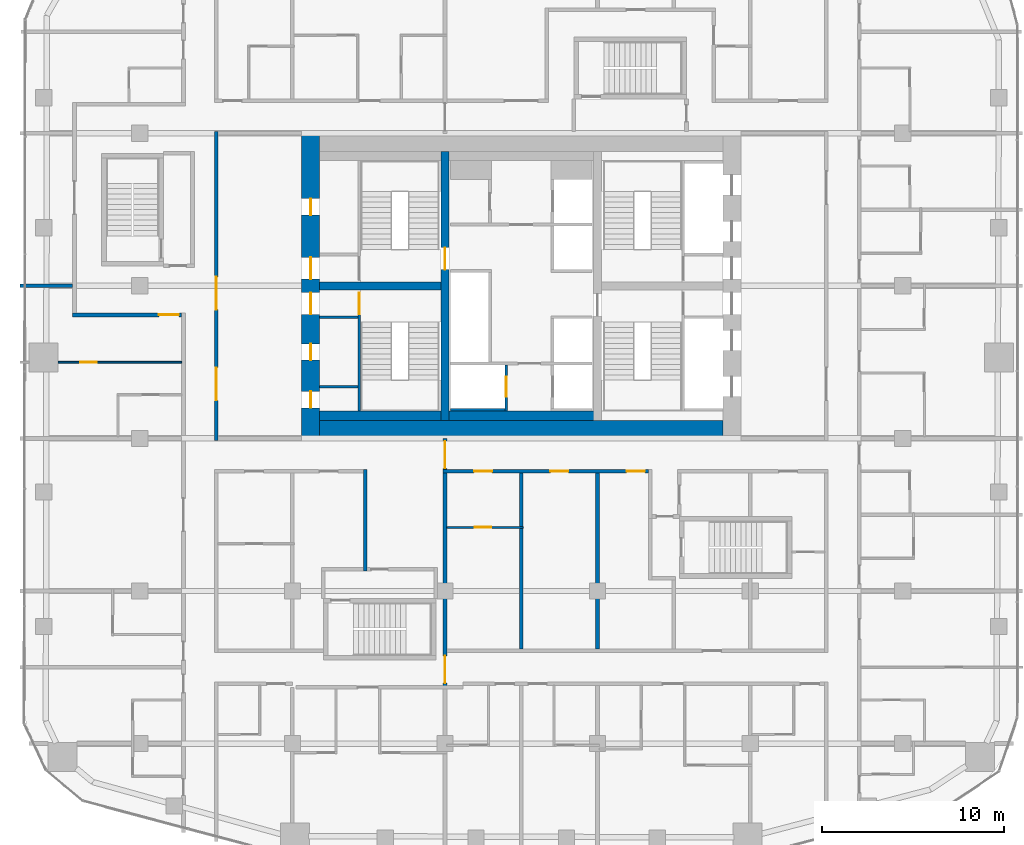
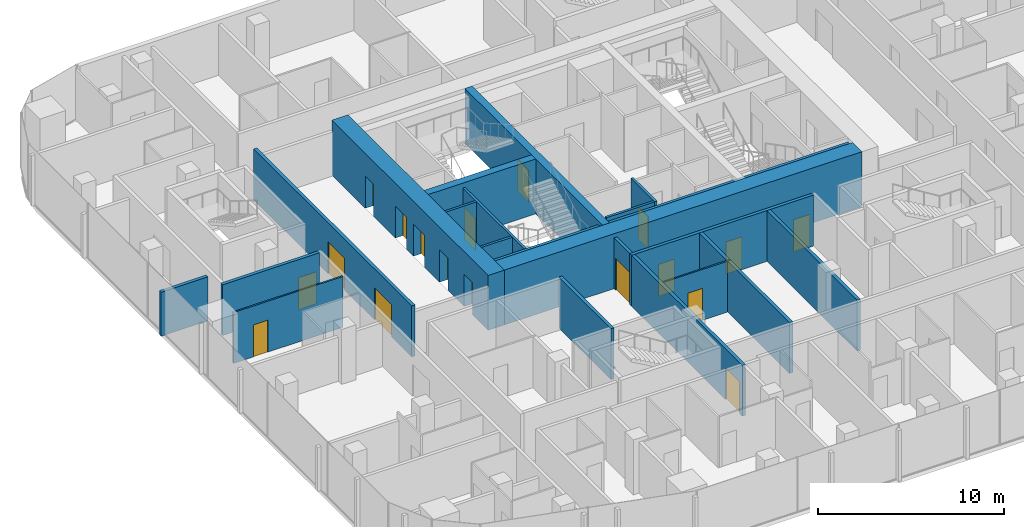
# One storey, part 15 of 23: 20 walls, 18 doors, 18 openings.
"""IFC4 building model written with IfcOpenShell, lengths in metres."""

from ifc_helpers import new_model, si_unit, direction, frame, frame_2d, origin, place, context, subcontext, project, spatial, rectangle, extrude, material, layer, layer_set, type_object, element, fill, save


model = new_model("IFC4")

# Units and contexts
model_context = context("Model", 3, precision=1e-05, world=origin(), true_north=direction((0.0, 1.0)))
body_context = subcontext(model_context, "Body", "Model", "MODEL_VIEW")
ifc_project = project(units=[si_unit("LENGTHUNIT", "METRE"), si_unit("AREAUNIT", "SQUARE_METRE"), si_unit("VOLUMEUNIT", "CUBIC_METRE"), si_unit("PLANEANGLEUNIT", "RADIAN"), si_unit("MASSUNIT", "GRAM", prefix="KILO")], contexts=[model_context])

# Site, building, storey
site_placement = place(None, origin())
site = spatial("IfcSite", under=ifc_project, at=site_placement, CompositionType="ELEMENT")
building_placement = place(site_placement, origin())
building = spatial("IfcBuilding", under=site, at=building_placement, Name="Marenta Gate Hotel Tower", CompositionType="ELEMENT")
storey_placement = place(building_placement, frame((0.0, 0.0, 126.5)))
storey = spatial("IfcBuildingStorey", under=building, at=storey_placement, Name="L28", CompositionType="ELEMENT", Elevation=126.5)

# Wall, openings, doors
ifc_material_1 = material(Name="Concrete blockwork", Category="masonry")
ifc_layer_1 = layer(ifc_material_1, 0.199951171875)
ifc_layer_set_1 = layer_set([ifc_layer_1], Name="Concrete blockwork")
wall_type_1 = type_object("IfcWallType", Name="Compartment wall 200 REI 180", PredefinedType="PARTITIONING", material=ifc_layer_set_1)
wall_1_placement = place(storey_placement, frame((-4.199951171875, -13.800048828125, 0.0), z_axis=(0.0, 0.0, 1.0), x_axis=(0.0, 1.0, 0.0)))
wall_1 = element("IfcWall", 1, at=wall_1_placement, inside=storey, type_object=wall_type_1, Name="L28-PTN-W081", PredefinedType="PARTITIONING", context=body_context, shape_type="SweptSolid", body=[
    extrude(rectangle(XDim=13.800048828125, YDim=0.199951171875, at=frame_2d((6.89990234375, 0.0))), origin(), (0.0, 0.0, 1.0), 3.340087890625),
])
opening_1_placement = place(wall_1_placement, frame((12.14990234375, 0.0, 0.0)))
opening_1 = element("IfcOpeningElement", 2, at=opening_1_placement, cuts=wall_1, Name="Opening G10-FD2", PredefinedType="OPENING", context=body_context, shape_type="SweptSolid", body=[
    extrude(rectangle(XDim=1.5, YDim=2.10009765625, at=frame_2d((0.75, 1.050048828125))), frame((0.0, 0.10009765625, 0.0), z_axis=(0.0, -1.0, 0.0), x_axis=(1.0, 0.0, 0.0)), (0.0, 0.0, 1.0), 0.199951171875),
])
opening_2_placement = place(wall_1_placement, frame((0.324951171875, 0.0, 0.0)))
opening_2 = element("IfcOpeningElement", 3, at=opening_2_placement, cuts=wall_1, Name="Opening G10-FD3", PredefinedType="OPENING", context=body_context, shape_type="SweptSolid", body=[
    extrude(rectangle(XDim=1.5, YDim=2.10009765625, at=frame_2d((0.75, 1.050048828125))), frame((0.0, 0.10009765625, 0.0), z_axis=(0.0, -1.0, 0.0), x_axis=(1.0, 0.0, 0.0)), (0.0, 0.0, 1.0), 0.199951171875),
])
ifc_material_2 = material(Name="Hollow steel door set", Category="steel")
door_type_1 = type_object("IfcDoorType", Name="Compartment fire door 1500x2100 EI 60", OperationType="DOUBLE_DOOR_DOUBLE_SWING", PredefinedType="DOOR", material=ifc_material_2)
door_1_placement = place(opening_1_placement, origin())
door_1 = element("IfcDoor", 4, at=door_1_placement, inside=storey, type_object=door_type_1, Name="L28-PD-FD02", OperationType="DOUBLE_DOOR_DOUBLE_SWING", OverallHeight=2.10009765625, OverallWidth=1.5, PredefinedType="DOOR", context=body_context, shape_type="SweptSolid", body=[
    extrude(rectangle(XDim=1.5, YDim=2.10009765625, at=frame_2d((0.75, 1.050048828125))), frame((0.0, 0.02490234375, 0.0), z_axis=(0.0, -1.0, 0.0), x_axis=(1.0, 0.0, 0.0)), (0.0, 0.0, 1.0), 0.050048828125),
])
fill(opening_1, door_1)
door_2_placement = place(opening_2_placement, origin())
door_2 = element("IfcDoor", 5, at=door_2_placement, inside=storey, type_object=door_type_1, Name="L28-PD-FD03", OperationType="DOUBLE_DOOR_DOUBLE_SWING", OverallHeight=2.10009765625, OverallWidth=1.5, PredefinedType="DOOR", context=body_context, shape_type="SweptSolid", body=[
    extrude(rectangle(XDim=1.5, YDim=2.10009765625, at=frame_2d((0.75, 1.050048828125))), frame((0.0, 0.02490234375, 0.0), z_axis=(0.0, -1.0, 0.0), x_axis=(1.0, 0.0, 0.0)), (0.0, 0.0, 1.0), 0.050048828125),
])
fill(opening_2, door_2)

ifc_material_3 = material(Name="Concrete blockwork", Category="masonry")
ifc_layer_2 = layer(ifc_material_3, 0.199951171875)
ifc_layer_set_2 = layer_set([ifc_layer_2], Name="Concrete blockwork")
wall_type_2 = type_object("IfcWallType", Name="Core boundary wall 200 REI 180", PredefinedType="PARTITIONING", material=ifc_layer_set_2)
wall_2_placement = place(storey_placement, frame((-16.800048828125, -0.10009765625, 0.0), z_axis=(0.0, 0.0, 1.0), x_axis=(0.0, 1.0, 0.0)))
wall_2 = element("IfcWall", 6, at=wall_2_placement, inside=storey, type_object=wall_type_2, Name="L28-CP-BW-W", PredefinedType="PARTITIONING", context=body_context, shape_type="SweptSolid", body=[
    extrude(rectangle(XDim=17.0, YDim=0.199951171875, at=frame_2d((8.5, 0.0))), origin(), (0.0, 0.0, 1.0), 3.340087890625),
])
opening_3_placement = place(wall_2_placement, frame((2.199951171875, 0.0, 0.0)))
opening_3 = element("IfcOpeningElement", 7, at=opening_3_placement, cuts=wall_2, Name="Opening ED-Wa-B", PredefinedType="OPENING", context=body_context, shape_type="SweptSolid", body=[
    extrude(rectangle(XDim=1.800048828125, YDim=2.10009765625, at=frame_2d((0.89990234375, 1.050048828125))), frame((0.0, 0.10009765625, 0.0), z_axis=(0.0, -1.0, 0.0), x_axis=(1.0, 0.0, 0.0)), (0.0, 0.0, 1.0), 0.199951171875),
])
opening_4_placement = place(wall_2_placement, frame((7.199951171875, 0.0, 0.0)))
opening_4 = element("IfcOpeningElement", 8, at=opening_4_placement, cuts=wall_2, Name="Opening ED-Wb-B", PredefinedType="OPENING", context=body_context, shape_type="SweptSolid", body=[
    extrude(rectangle(XDim=1.800048828125, YDim=2.10009765625, at=frame_2d((0.89990234375, 1.050048828125))), frame((0.0, 0.10009765625, 0.0), z_axis=(0.0, -1.0, 0.0), x_axis=(1.0, 0.0, 0.0)), (0.0, 0.0, 1.0), 0.199951171875),
])
ifc_material_4 = material(Name="Steel", Category="steel")
door_type_2 = type_object("IfcDoorType", Name="Core lobby entrance door 1800x2100 EI 60", OperationType="DOUBLE_DOOR_SINGLE_SWING", PredefinedType="DOOR", material=ifc_material_4)
door_3_placement = place(opening_3_placement, origin())
door_3 = element("IfcDoor", 9, at=door_3_placement, inside=storey, type_object=door_type_2, Name="ED-Wa-B", OperationType="DOUBLE_DOOR_SINGLE_SWING", OverallHeight=2.10009765625, OverallWidth=1.800048828125, PredefinedType="DOOR", context=body_context, shape_type="SweptSolid", body=[
    extrude(rectangle(XDim=1.800048828125, YDim=2.10009765625, at=frame_2d((0.89990234375, 1.050048828125))), frame((0.0, 0.02490234375, 0.0), z_axis=(0.0, -1.0, 0.0), x_axis=(1.0, 0.0, 0.0)), (0.0, 0.0, 1.0), 0.050048828125),
])
fill(opening_3, door_3)
door_4_placement = place(opening_4_placement, origin())
door_4 = element("IfcDoor", 10, at=door_4_placement, inside=storey, type_object=door_type_2, Name="ED-Wb-B", OperationType="DOUBLE_DOOR_SINGLE_SWING", OverallHeight=2.10009765625, OverallWidth=1.800048828125, PredefinedType="DOOR", context=body_context, shape_type="SweptSolid", body=[
    extrude(rectangle(XDim=1.800048828125, YDim=2.10009765625, at=frame_2d((0.89990234375, 1.050048828125))), frame((0.0, 0.02490234375, 0.0), z_axis=(0.0, -1.0, 0.0), x_axis=(1.0, 0.0, 0.0)), (0.0, 0.0, 1.0), 0.050048828125),
])
fill(opening_4, door_4)

# Walls
ifc_material_5 = material(Name="Concrete C40", Category="concrete")
ifc_layer_3 = layer(ifc_material_5, 0.5)
ifc_layer_set_3 = layer_set([ifc_layer_3], Name="Concrete C40")
wall_type_3 = type_object("IfcWallType", Name="Core lining wall 500 REI 180", PredefinedType="PARTITIONING", material=ifc_layer_set_3)
wall_3_placement = place(storey_placement, frame((-11.10009765625, 1.25, 0.0), z_axis=(0.0, 0.0, 1.0), x_axis=(1.0, 0.0, 0.0)))
element("IfcWall", 11, at=wall_3_placement, inside=storey, type_object=wall_type_3, Name="L28-CP-LN-S", PredefinedType="PARTITIONING", context=body_context, shape_type="SweptSolid", body=[
    extrude(rectangle(XDim=22.2001953125, YDim=0.5, at=frame_2d((11.10009765625, 0.0))), origin(), (0.0, 0.0, 1.0), 3.340087890625),
])
ifc_material_6 = material(Name="Concrete blockwork", Category="masonry")
ifc_layer_4 = layer(ifc_material_6, 0.14990234375)
ifc_layer_set_4 = layer_set([ifc_layer_4], Name="Concrete blockwork")
wall_type_4 = type_object("IfcWallType", Name="Core room partition 150 REI 180", PredefinedType="PARTITIONING", material=ifc_layer_set_4)
for number, where, z_axis, x_axis, name in (
    (12, (-11.10009765625, 6.675048828125, 0.0), (0.0, 0.0, 1.0), (1.0, 0.0, 0.0), "L28-CP-SW-WS-2"),
    (13, (-11.10009765625, 2.85009765625, 0.0), (0.0, 0.0, 1.0), (1.0, 0.0, 0.0), "L28-CP-RW-WS-1"),
):
    element("IfcWall", number, at=place(storey_placement, frame(where, z_axis=z_axis, x_axis=x_axis)), inside=storey, type_object=wall_type_4, Name=name, PredefinedType="PARTITIONING", context=body_context, shape_type="SweptSolid", body=[
        extrude(rectangle(XDim=2.10009765625, YDim=0.14990234375, at=frame_2d((1.050048828125, 0.0))), origin(), (0.0, 0.0, 1.0), 3.340087890625),
    ])

# Wall, opening, door
ifc_material_7 = material(Name="Concrete C40", Category="concrete")
ifc_layer_5 = layer(ifc_material_7, 0.14990234375)
ifc_layer_set_5 = layer_set([ifc_layer_5], Name="Concrete C40")
wall_type_5 = type_object("IfcWallType", Name="Core shaft wall 150 REI 180", PredefinedType="SHEAR", material=ifc_layer_set_5)
wall_4_placement = place(storey_placement, frame((-0.824951171875, 1.5, 0.0), z_axis=(0.0, 0.0, 1.0), x_axis=(0.0, 1.0, 0.0)))
wall_4 = element("IfcWall", 14, at=wall_4_placement, inside=storey, type_object=wall_type_5, Name="L28-SHF-CW-W-ff", PredefinedType="SHEAR", context=body_context, shape_type="SweptSolid", body=[
    extrude(rectangle(XDim=2.550048828125, YDim=0.14990234375, at=frame_2d((1.27490234375, 0.0))), origin(), (0.0, 0.0, 1.0), 3.60009765625),
])
opening_5_placement = place(wall_4_placement, frame((0.800048828125, 0.0, 0.0)))
opening_5 = element("IfcOpeningElement", 15, at=opening_5_placement, cuts=wall_4, Name="Opening LD-FF1", PredefinedType="OPENING", context=body_context, shape_type="SweptSolid", body=[
    extrude(rectangle(XDim=1.10009765625, YDim=2.10009765625, at=frame_2d((0.550048828125, 1.050048828125))), frame((0.0, 0.074951171875, 0.0), z_axis=(0.0, -1.0, 0.0), x_axis=(1.0, 0.0, 0.0)), (0.0, 0.0, 1.0), 0.14990234375),
])
ifc_material_8 = material(Name="Steel", Category="steel")
door_type_3 = type_object("IfcDoorType", Name="Core lift landing door 1100x2100 E 60", OperationType="SLIDING_TO_LEFT", PredefinedType="DOOR", material=ifc_material_8)
door_5_placement = place(opening_5_placement, origin())
door_5 = element("IfcDoor", 16, at=door_5_placement, inside=storey, type_object=door_type_3, Name="LD-FF1", OperationType="SLIDING_TO_LEFT", OverallHeight=2.10009765625, OverallWidth=1.10009765625, PredefinedType="DOOR", context=body_context, shape_type="SweptSolid", body=[
    extrude(rectangle(XDim=1.10009765625, YDim=2.10009765625, at=frame_2d((0.550048828125, 1.050048828125))), frame((0.0, 0.02490234375, 0.0), z_axis=(0.0, -1.0, 0.0), x_axis=(1.0, 0.0, 0.0)), (0.0, 0.0, 1.0), 0.050048828125),
])
fill(opening_5, door_5)

# Wall
wall_5_placement = place(storey_placement, frame((-3.89990234375, 1.574951171875, 0.0), z_axis=(0.0, 0.0, 1.0), x_axis=(1.0, 0.0, 0.0)))
element("IfcWall", 17, at=wall_5_placement, inside=storey, type_object=wall_type_5, Name="L28-SHF-CW-W-ffs", PredefinedType="SHEAR", context=body_context, shape_type="SweptSolid", body=[
    extrude(rectangle(XDim=3.0, YDim=0.14990234375, at=frame_2d((1.5, 0.0))), origin(), (0.0, 0.0, 1.0), 3.60009765625),
])

# Wall, opening, door
ifc_material_9 = material(Name="Concrete C40", Category="concrete")
ifc_layer_6 = layer(ifc_material_9, 0.14990234375)
ifc_layer_set_6 = layer_set([ifc_layer_6], Name="Concrete C40")
wall_type_6 = type_object("IfcWallType", Name="Core stair enclosure wall 150 REI 180", PredefinedType="SHEAR", material=ifc_layer_set_6)
wall_6_placement = place(storey_placement, frame((-8.925048828125, 1.5, 0.0), z_axis=(0.0, 0.0, 1.0), x_axis=(0.0, 1.0, 0.0)))
wall_6 = element("IfcWall", 18, at=wall_6_placement, inside=storey, type_object=wall_type_6, Name="L28-SHF-SW-WS-3", PredefinedType="SHEAR", context=body_context, shape_type="SweptSolid", body=[
    extrude(rectangle(XDim=6.60009765625, YDim=0.14990234375, at=frame_2d((3.300048828125, 0.0))), origin(), (0.0, 0.0, 1.0), 3.340087890625),
])
opening_6_placement = place(wall_6_placement, frame((5.324951171875, 0.0, 0.0)))
opening_6 = element("IfcOpeningElement", 19, at=opening_6_placement, cuts=wall_6, Name="Opening SD-WS", PredefinedType="OPENING", context=body_context, shape_type="SweptSolid", body=[
    extrude(rectangle(XDim=1.199951171875, YDim=2.10009765625, at=frame_2d((0.60009765625, 1.050048828125))), frame((0.0, 0.074951171875, 0.0), z_axis=(0.0, -1.0, 0.0), x_axis=(1.0, 0.0, 0.0)), (0.0, 0.0, 1.0), 0.14990234375),
])
ifc_material_10 = material(Name="Steel", Category="steel")
door_type_4 = type_object("IfcDoorType", Name="Core stair door 1200x2100 FD60", OperationType="SINGLE_SWING_LEFT", PredefinedType="DOOR", material=ifc_material_10)
door_6_placement = place(opening_6_placement, origin())
door_6 = element("IfcDoor", 20, at=door_6_placement, inside=storey, type_object=door_type_4, Name="SD-WS", OperationType="SINGLE_SWING_LEFT", OverallHeight=2.10009765625, OverallWidth=1.199951171875, PredefinedType="DOOR", context=body_context, shape_type="SweptSolid", body=[
    extrude(rectangle(XDim=1.199951171875, YDim=2.10009765625, at=frame_2d((0.60009765625, 1.050048828125))), frame((0.0, 0.02490234375, 0.0), z_axis=(0.0, -1.0, 0.0), x_axis=(1.0, 0.0, 0.0)), (0.0, 0.0, 1.0), 0.050048828125),
])
fill(opening_6, door_6)

# Wall, openings, doors
ifc_material_11 = material(Name="Concrete C70", Category="concrete")
ifc_layer_7 = layer(ifc_material_11, 1.0)
ifc_layer_set_7 = layer_set([ifc_layer_7], Name="Concrete C70")
wall_type_7 = type_object("IfcWallType", Name="Core wall 1000 C70", PredefinedType="SHEAR", material=ifc_layer_set_7)
wall_7_placement = place(storey_placement, frame((-11.60009765625, 0.0, 0.0), z_axis=(0.0, 0.0, 1.0), x_axis=(0.0, 1.0, 0.0)))
wall_7 = element("IfcWall", 21, at=wall_7_placement, inside=storey, type_object=wall_type_7, Name="L28-CORE-W", PredefinedType="SHEAR", context=body_context, shape_type="SweptSolid", body=[
    extrude(rectangle(XDim=16.800048828125, YDim=1.0, at=frame_2d((8.39990234375, 0.0))), origin(), (0.0, 0.0, 1.0), 3.60009765625),
])
opening_7_placement = place(wall_7_placement, frame((1.6875, 0.0, 0.0)))
opening_7 = element("IfcOpeningElement", 22, at=opening_7_placement, cuts=wall_7, Name="Opening RD-WS-1", PredefinedType="OPENING", context=body_context, shape_type="SweptSolid", body=[
    extrude(rectangle(XDim=0.89990234375, YDim=2.10009765625, at=frame_2d((0.449951171875, 1.050048828125))), frame((0.0, 0.5, 0.0), z_axis=(0.0, -1.0, 0.0), x_axis=(1.0, 0.0, 0.0)), (0.0, 0.0, 1.0), 1.0),
])
opening_8_placement = place(wall_7_placement, frame((4.3125, 0.0, 0.0)))
opening_8 = element("IfcOpeningElement", 23, at=opening_8_placement, cuts=wall_7, Name="Opening RD-WS-2", PredefinedType="OPENING", context=body_context, shape_type="SweptSolid", body=[
    extrude(rectangle(XDim=0.89990234375, YDim=2.10009765625, at=frame_2d((0.449951171875, 1.050048828125))), frame((0.0, 0.5, 0.0), z_axis=(0.0, -1.0, 0.0), x_axis=(1.0, 0.0, 0.0)), (0.0, 0.0, 1.0), 1.0),
])
opening_9_placement = place(wall_7_placement, frame((6.824951171875, 0.0, 0.0)))
opening_9 = element("IfcOpeningElement", 24, at=opening_9_placement, cuts=wall_7, Name="Opening PD-WS", PredefinedType="OPENING", context=body_context, shape_type="SweptSolid", body=[
    extrude(rectangle(XDim=1.199951171875, YDim=2.10009765625, at=frame_2d((0.60009765625, 1.050048828125))), frame((0.0, 0.5, 0.0), z_axis=(0.0, -1.0, 0.0), x_axis=(1.0, 0.0, 0.0)), (0.0, 0.0, 1.0), 1.0),
])
opening_10_placement = place(wall_7_placement, frame((12.300048828125, 0.0, 0.0)))
opening_10 = element("IfcOpeningElement", 25, at=opening_10_placement, cuts=wall_7, Name="Opening RD-WN-1", PredefinedType="OPENING", context=body_context, shape_type="SweptSolid", body=[
    extrude(rectangle(XDim=0.89990234375, YDim=2.10009765625, at=frame_2d((0.449951171875, 1.050048828125))), frame((0.0, 0.5, 0.0), z_axis=(0.0, -1.0, 0.0), x_axis=(1.0, 0.0, 0.0)), (0.0, 0.0, 1.0), 1.0),
])
opening_11_placement = place(wall_7_placement, frame((8.77490234375, 0.0, 0.0)))
opening_11 = element("IfcOpeningElement", 26, at=opening_11_placement, cuts=wall_7, Name="Opening PD-WN", PredefinedType="OPENING", context=body_context, shape_type="SweptSolid", body=[
    extrude(rectangle(XDim=1.199951171875, YDim=2.10009765625, at=frame_2d((0.60009765625, 1.050048828125))), frame((0.0, 0.5, 0.0), z_axis=(0.0, -1.0, 0.0), x_axis=(1.0, 0.0, 0.0)), (0.0, 0.0, 1.0), 1.0),
])
ifc_material_12 = material(Name="Steel", Category="steel")
door_type_5 = type_object("IfcDoorType", Name="Core lobby door 1200x2100 FD60", OperationType="SINGLE_SWING_LEFT", PredefinedType="DOOR", material=ifc_material_12)
door_7_placement = place(opening_9_placement, origin())
door_7 = element("IfcDoor", 27, at=door_7_placement, inside=storey, type_object=door_type_5, Name="PD-WS", OperationType="SINGLE_SWING_LEFT", OverallHeight=2.10009765625, OverallWidth=1.199951171875, PredefinedType="DOOR", context=body_context, shape_type="SweptSolid", body=[
    extrude(rectangle(XDim=1.199951171875, YDim=2.10009765625, at=frame_2d((0.60009765625, 1.050048828125))), frame((0.0, 0.02490234375, 0.0), z_axis=(0.0, -1.0, 0.0), x_axis=(1.0, 0.0, 0.0)), (0.0, 0.0, 1.0), 0.050048828125),
])
fill(opening_9, door_7)
door_8_placement = place(opening_11_placement, origin())
door_8 = element("IfcDoor", 28, at=door_8_placement, inside=storey, type_object=door_type_5, Name="PD-WN", OperationType="SINGLE_SWING_LEFT", OverallHeight=2.10009765625, OverallWidth=1.199951171875, PredefinedType="DOOR", context=body_context, shape_type="SweptSolid", body=[
    extrude(rectangle(XDim=1.199951171875, YDim=2.10009765625, at=frame_2d((0.60009765625, 1.050048828125))), frame((0.0, 0.02490234375, 0.0), z_axis=(0.0, -1.0, 0.0), x_axis=(1.0, 0.0, 0.0)), (0.0, 0.0, 1.0), 0.050048828125),
])
fill(opening_11, door_8)
ifc_material_13 = material(Name="Steel", Category="steel")
door_type_6 = type_object("IfcDoorType", Name="Core service room door 900x2100 FD30S", OperationType="SINGLE_SWING_LEFT", PredefinedType="DOOR", material=ifc_material_13)
door_9_placement = place(opening_7_placement, origin())
door_9 = element("IfcDoor", 29, at=door_9_placement, inside=storey, type_object=door_type_6, Name="RD-WS-1", OperationType="SINGLE_SWING_LEFT", OverallHeight=2.10009765625, OverallWidth=0.89990234375, PredefinedType="DOOR", context=body_context, shape_type="SweptSolid", body=[
    extrude(rectangle(XDim=0.89990234375, YDim=2.10009765625, at=frame_2d((0.449951171875, 1.050048828125))), frame((0.0, 0.02490234375, 0.0), z_axis=(0.0, -1.0, 0.0), x_axis=(1.0, 0.0, 0.0)), (0.0, 0.0, 1.0), 0.050048828125),
])
fill(opening_7, door_9)
door_10_placement = place(opening_8_placement, origin())
door_10 = element("IfcDoor", 30, at=door_10_placement, inside=storey, type_object=door_type_6, Name="RD-WS-2", OperationType="SINGLE_SWING_LEFT", OverallHeight=2.10009765625, OverallWidth=0.89990234375, PredefinedType="DOOR", context=body_context, shape_type="SweptSolid", body=[
    extrude(rectangle(XDim=0.89990234375, YDim=2.10009765625, at=frame_2d((0.449951171875, 1.050048828125))), frame((0.0, 0.02490234375, 0.0), z_axis=(0.0, -1.0, 0.0), x_axis=(1.0, 0.0, 0.0)), (0.0, 0.0, 1.0), 0.050048828125),
])
fill(opening_8, door_10)
door_11_placement = place(opening_10_placement, origin())
door_11 = element("IfcDoor", 31, at=door_11_placement, inside=storey, type_object=door_type_6, Name="RD-WN-1", OperationType="SINGLE_SWING_LEFT", OverallHeight=2.10009765625, OverallWidth=0.89990234375, PredefinedType="DOOR", context=body_context, shape_type="SweptSolid", body=[
    extrude(rectangle(XDim=0.89990234375, YDim=2.10009765625, at=frame_2d((0.449951171875, 1.050048828125))), frame((0.0, 0.02490234375, 0.0), z_axis=(0.0, -1.0, 0.0), x_axis=(1.0, 0.0, 0.0)), (0.0, 0.0, 1.0), 0.050048828125),
])
fill(opening_10, door_11)

# Wall
wall_8_placement = place(storey_placement, frame((-11.10009765625, 0.5, 0.0), z_axis=(0.0, 0.0, 1.0), x_axis=(1.0, 0.0, 0.0)))
element("IfcWall", 32, at=wall_8_placement, inside=storey, type_object=wall_type_7, Name="L28-CORE-S", PredefinedType="SHEAR", context=body_context, shape_type="SweptSolid", body=[
    extrude(rectangle(XDim=22.2001953125, YDim=1.0, at=frame_2d((11.10009765625, 0.0))), origin(), (0.0, 0.0, 1.0), 3.60009765625),
])

# Wall, opening, door
ifc_material_14 = material(Name="Concrete C70", Category="concrete")
ifc_layer_8 = layer(ifc_material_14, 0.449951171875)
ifc_layer_set_8 = layer_set([ifc_layer_8], Name="Concrete C70")
wall_type_8 = type_object("IfcWallType", Name="Core web 450 C70", PredefinedType="SHEAR", material=ifc_layer_set_8)
wall_9_placement = place(storey_placement, frame((-4.199951171875, 1.0, 0.0), z_axis=(0.0, 0.0, 1.0), x_axis=(0.0, 1.0, 0.0)))
wall_9 = element("IfcWall", 33, at=wall_9_placement, inside=storey, type_object=wall_type_8, Name="L28-CORE-W1", PredefinedType="SHEAR", context=body_context, shape_type="SweptSolid", body=[
    extrude(rectangle(XDim=14.800048828125, YDim=0.449951171875, at=frame_2d((7.39990234375, 0.0))), origin(), (0.0, 0.0, 1.0), 3.60009765625),
])
opening_12_placement = place(wall_9_placement, frame((8.300048828125, 0.0, 0.0)))
opening_12 = element("IfcOpeningElement", 34, at=opening_12_placement, cuts=wall_9, Name="Opening WD-W", PredefinedType="OPENING", context=body_context, shape_type="SweptSolid", body=[
    extrude(rectangle(XDim=1.199951171875, YDim=2.10009765625, at=frame_2d((0.60009765625, 1.050048828125))), frame((0.0, 0.22509765625, 0.0), z_axis=(0.0, -1.0, 0.0), x_axis=(1.0, 0.0, 0.0)), (0.0, 0.0, 1.0), 0.449951171875),
])
door_12_placement = place(opening_12_placement, origin())
door_12 = element("IfcDoor", 35, at=door_12_placement, inside=storey, type_object=door_type_4, Name="WD-W", OperationType="SINGLE_SWING_LEFT", OverallHeight=2.10009765625, OverallWidth=1.199951171875, PredefinedType="DOOR", context=body_context, shape_type="SweptSolid", body=[
    extrude(rectangle(XDim=1.199951171875, YDim=2.10009765625, at=frame_2d((0.60009765625, 1.050048828125))), frame((0.0, 0.02490234375, 0.0), z_axis=(0.0, -1.0, 0.0), x_axis=(1.0, 0.0, 0.0)), (0.0, 0.0, 1.0), 0.050048828125),
])
fill(opening_12, door_12)

# Wall
wall_10_placement = place(storey_placement, frame((-11.10009765625, 8.39990234375, 0.0), z_axis=(0.0, 0.0, 1.0), x_axis=(1.0, 0.0, 0.0)))
element("IfcWall", 36, at=wall_10_placement, inside=storey, type_object=wall_type_8, Name="L28-CORE-W3", PredefinedType="SHEAR", context=body_context, shape_type="SweptSolid", body=[
    extrude(rectangle(XDim=6.675048828125, YDim=0.449951171875, at=frame_2d((3.33740234375, 0.0))), origin(), (0.0, 0.0, 1.0), 3.60009765625),
])

# Wall, openings, doors
ifc_material_15 = material(Name="Concrete blockwork", Category="masonry")
ifc_layer_9 = layer(ifc_material_15, 0.199951171875)
ifc_layer_set_9 = layer_set([ifc_layer_9], Name="Concrete blockwork")
wall_type_9 = type_object("IfcWallType", Name="Room corridor wall 200 EI 120", PredefinedType="PARTITIONING", material=ifc_layer_set_9)
wall_11_placement = place(storey_placement, frame((-4.300048828125, -1.800048828125, 0.0), z_axis=(0.0, 0.0, 1.0), x_axis=(1.0, 0.0, 0.0)))
wall_11 = element("IfcWall", 37, at=wall_11_placement, inside=storey, type_object=wall_type_9, Name="L28-PTN-W068", PredefinedType="PARTITIONING", context=body_context, shape_type="SweptSolid", body=[
    extrude(rectangle(XDim=11.300048828125, YDim=0.199951171875, at=frame_2d((5.64990234375, 0.0))), origin(), (0.0, 0.0, 1.0), 3.340087890625),
])
opening_13_placement = place(wall_11_placement, frame((1.699951171875, 0.0, 0.0)))
opening_13 = element("IfcOpeningElement", 38, at=opening_13_placement, cuts=wall_11, Name="Opening G10-04", PredefinedType="OPENING", context=body_context, shape_type="SweptSolid", body=[
    extrude(rectangle(XDim=1.0, YDim=2.10009765625, at=frame_2d((0.5, 1.050048828125))), frame((0.0, 0.10009765625, 0.0), z_axis=(0.0, -1.0, 0.0), x_axis=(1.0, 0.0, 0.0)), (0.0, 0.0, 1.0), 0.199951171875),
])
opening_14_placement = place(wall_11_placement, frame((5.89990234375, 0.0, 0.0)))
opening_14 = element("IfcOpeningElement", 39, at=opening_14_placement, cuts=wall_11, Name="Opening G10-06", PredefinedType="OPENING", context=body_context, shape_type="SweptSolid", body=[
    extrude(rectangle(XDim=1.0, YDim=2.10009765625, at=frame_2d((0.5, 1.050048828125))), frame((0.0, 0.10009765625, 0.0), z_axis=(0.0, -1.0, 0.0), x_axis=(1.0, 0.0, 0.0)), (0.0, 0.0, 1.0), 0.199951171875),
])
opening_15_placement = place(wall_11_placement, frame((10.10009765625, 0.0, 0.0)))
opening_15 = element("IfcOpeningElement", 40, at=opening_15_placement, cuts=wall_11, Name="Opening G10-07", PredefinedType="OPENING", context=body_context, shape_type="SweptSolid", body=[
    extrude(rectangle(XDim=1.0, YDim=2.10009765625, at=frame_2d((0.5, 1.050048828125))), frame((0.0, 0.10009765625, 0.0), z_axis=(0.0, -1.0, 0.0), x_axis=(1.0, 0.0, 0.0)), (0.0, 0.0, 1.0), 0.199951171875),
])
ifc_material_16 = material(Name="Timber door leaf", Category="wood")
door_type_7 = type_object("IfcDoorType", Name="Room amenity door 1000x2100 EI 60", OperationType="NOTDEFINED", PredefinedType="DOOR", material=ifc_material_16)
door_13_placement = place(opening_14_placement, origin())
door_13 = element("IfcDoor", 41, at=door_13_placement, inside=storey, type_object=door_type_7, Name="L28-PD-D006", OperationType="SINGLE_SWING_RIGHT", OverallHeight=2.10009765625, OverallWidth=1.0, PredefinedType="DOOR", context=body_context, shape_type="SweptSolid", body=[
    extrude(rectangle(XDim=1.0, YDim=2.10009765625, at=frame_2d((0.5, 1.050048828125))), frame((0.0, 0.02490234375, 0.0), z_axis=(0.0, -1.0, 0.0), x_axis=(1.0, 0.0, 0.0)), (0.0, 0.0, 1.0), 0.050048828125),
])
fill(opening_14, door_13)
door_14_placement = place(opening_15_placement, origin())
door_14 = element("IfcDoor", 42, at=door_14_placement, inside=storey, type_object=door_type_7, Name="L28-PD-D007", OperationType="SINGLE_SWING_LEFT", OverallHeight=2.10009765625, OverallWidth=1.0, PredefinedType="DOOR", context=body_context, shape_type="SweptSolid", body=[
    extrude(rectangle(XDim=1.0, YDim=2.10009765625, at=frame_2d((0.5, 1.050048828125))), frame((0.0, 0.02490234375, 0.0), z_axis=(0.0, -1.0, 0.0), x_axis=(1.0, 0.0, 0.0)), (0.0, 0.0, 1.0), 0.050048828125),
])
fill(opening_15, door_14)
ifc_material_17 = material(Name="Hollow steel door set", Category="steel")
door_type_8 = type_object("IfcDoorType", Name="Room service door 1000x2100 EI 60", OperationType="NOTDEFINED", PredefinedType="DOOR", material=ifc_material_17)
door_15_placement = place(opening_13_placement, origin())
door_15 = element("IfcDoor", 43, at=door_15_placement, inside=storey, type_object=door_type_8, Name="L28-PD-D004", OperationType="SINGLE_SWING_RIGHT", OverallHeight=2.10009765625, OverallWidth=1.0, PredefinedType="DOOR", context=body_context, shape_type="SweptSolid", body=[
    extrude(rectangle(XDim=1.0, YDim=2.10009765625, at=frame_2d((0.5, 1.050048828125))), frame((0.0, 0.02490234375, 0.0), z_axis=(0.0, -1.0, 0.0), x_axis=(1.0, 0.0, 0.0)), (0.0, 0.0, 1.0), 0.050048828125),
])
fill(opening_13, door_15)

# Wall, opening, door
ifc_material_18 = material(Name="Gypsum board on steel stud", Category="steel")
ifc_layer_10 = layer(ifc_material_18, 0.199951171875)
ifc_layer_set_10 = layer_set([ifc_layer_10], Name="Gypsum board on steel stud")
wall_type_10 = type_object("IfcWallType", Name="Room corridor wall 200 EI 60", PredefinedType="PARTITIONING", material=ifc_layer_set_10)
wall_12_placement = place(storey_placement, frame((-24.699951171875, 6.800048828125, 0.0), z_axis=(0.0, 0.0, 1.0), x_axis=(1.0, 0.0, 0.0)))
wall_12 = element("IfcWall", 44, at=wall_12_placement, inside=storey, type_object=wall_type_10, Name="L28-PTN-W086", PredefinedType="PARTITIONING", context=body_context, shape_type="SweptSolid", body=[
    extrude(rectangle(XDim=6.0, YDim=0.199951171875, at=frame_2d((3.0, 0.0))), origin(), (0.0, 0.0, 1.0), 3.340087890625),
])
opening_16_placement = place(wall_12_placement, frame((4.75, 0.0, 0.0)))
opening_16 = element("IfcOpeningElement", 45, at=opening_16_placement, cuts=wall_12, Name="Opening G10-61", PredefinedType="OPENING", context=body_context, shape_type="SweptSolid", body=[
    extrude(rectangle(XDim=1.10009765625, YDim=2.10009765625, at=frame_2d((0.550048828125, 1.050048828125))), frame((0.0, 0.10009765625, 0.0), z_axis=(0.0, -1.0, 0.0), x_axis=(1.0, 0.0, 0.0)), (0.0, 0.0, 1.0), 0.199951171875),
])
ifc_material_19 = material(Name="Timber door leaf", Category="wood")
door_type_9 = type_object("IfcDoorType", Name="Guest room door 1100x2100 EI 30", OperationType="NOTDEFINED", PredefinedType="DOOR", material=ifc_material_19)
door_16_placement = place(opening_16_placement, origin())
door_16 = element("IfcDoor", 46, at=door_16_placement, inside=storey, type_object=door_type_9, Name="L28-PD-D061", OperationType="SINGLE_SWING_LEFT", OverallHeight=2.10009765625, OverallWidth=1.10009765625, PredefinedType="DOOR", context=body_context, shape_type="SweptSolid", body=[
    extrude(rectangle(XDim=1.10009765625, YDim=2.10009765625, at=frame_2d((0.550048828125, 1.050048828125))), frame((0.0, 0.02490234375, 0.0), z_axis=(0.0, -1.0, 0.0), x_axis=(1.0, 0.0, 0.0)), (0.0, 0.0, 1.0), 0.050048828125),
])
fill(opening_16, door_16)

# Wall
wall_13_placement = place(storey_placement, frame((-8.60009765625, -7.300048828125, 0.0), z_axis=(0.0, 0.0, 1.0), x_axis=(0.0, 1.0, 0.0)))
element("IfcWall", 47, at=wall_13_placement, inside=storey, type_object=wall_type_10, Name="L28-PTN-W090", PredefinedType="PARTITIONING", context=body_context, shape_type="SweptSolid", body=[
    extrude(rectangle(XDim=5.60009765625, YDim=0.199951171875, at=frame_2d((2.800048828125, 0.0))), origin(), (0.0, 0.0, 1.0), 3.340087890625),
])

# Wall, opening, door
ifc_material_20 = material(Name="Gypsum board on steel stud", Category="steel")
ifc_layer_11 = layer(ifc_material_20, 0.10009765625)
ifc_layer_set_11 = layer_set([ifc_layer_11], Name="Gypsum board on steel stud")
wall_type_11 = type_object("IfcWallType", Name="Room partition 100", PredefinedType="PARTITIONING", material=ifc_layer_set_11)
wall_14_placement = place(storey_placement, frame((-4.10009765625, -4.89990234375, 0.0), z_axis=(0.0, 0.0, 1.0), x_axis=(1.0, 0.0, 0.0)))
wall_14 = element("IfcWall", 48, at=wall_14_placement, inside=storey, type_object=wall_type_11, Name="L28-PTN-W059", PredefinedType="PARTITIONING", context=body_context, shape_type="SweptSolid", body=[
    extrude(rectangle(XDim=4.2001953125, YDim=0.10009765625, at=frame_2d((2.10009765625, 0.0))), origin(), (0.0, 0.0, 1.0), 3.340087890625),
])
opening_17_placement = place(wall_14_placement, frame((1.550048828125, 0.0, 0.0)))
opening_17 = element("IfcOpeningElement", 49, at=opening_17_placement, cuts=wall_14, Name="Opening G10-05", PredefinedType="OPENING", context=body_context, shape_type="SweptSolid", body=[
    extrude(rectangle(XDim=0.89990234375, YDim=2.10009765625, at=frame_2d((0.449951171875, 1.050048828125))), frame((0.0, 0.050048828125, 0.0), z_axis=(0.0, -1.0, 0.0), x_axis=(1.0, 0.0, 0.0)), (0.0, 0.0, 1.0), 0.10009765625),
])
ifc_material_21 = material(Name="Timber door leaf", Category="wood")
door_type_10 = type_object("IfcDoorType", Name="Room inner door 900x2100", OperationType="NOTDEFINED", PredefinedType="DOOR", material=ifc_material_21)
door_17_placement = place(opening_17_placement, origin())
door_17 = element("IfcDoor", 50, at=door_17_placement, inside=storey, type_object=door_type_10, Name="L28-PD-D005", OperationType="SINGLE_SWING_LEFT", OverallHeight=2.10009765625, OverallWidth=0.89990234375, PredefinedType="DOOR", context=body_context, shape_type="SweptSolid", body=[
    extrude(rectangle(XDim=0.89990234375, YDim=2.10009765625, at=frame_2d((0.449951171875, 1.050048828125))), frame((0.0, 0.02490234375, 0.0), z_axis=(0.0, -1.0, 0.0), x_axis=(1.0, 0.0, 0.0)), (0.0, 0.0, 1.0), 0.050048828125),
])
fill(opening_17, door_17)

wall_15_placement = place(storey_placement, frame((-25.5, 4.199951171875, 0.0), z_axis=(0.0, 0.0, 1.0), x_axis=(1.0, 0.0, 0.0)))
wall_15 = element("IfcWall", 51, at=wall_15_placement, inside=storey, type_object=wall_type_11, Name="L28-PTN-W135", PredefinedType="PARTITIONING", context=body_context, shape_type="SweptSolid", body=[
    extrude(rectangle(XDim=6.800048828125, YDim=0.10009765625, at=frame_2d((3.39990234375, 0.0))), origin(), (0.0, 0.0, 1.0), 3.340087890625),
])
opening_18_placement = place(wall_15_placement, frame((1.22998046875, 0.0, 0.0)))
opening_18 = element("IfcOpeningElement", 52, at=opening_18_placement, cuts=wall_15, Name="Opening G10-62", PredefinedType="OPENING", context=body_context, shape_type="SweptSolid", body=[
    extrude(rectangle(XDim=0.89990234375, YDim=2.10009765625, at=frame_2d((0.449951171875, 1.050048828125))), frame((0.0, 0.050048828125, 0.0), z_axis=(0.0, -1.0, 0.0), x_axis=(1.0, 0.0, 0.0)), (0.0, 0.0, 1.0), 0.10009765625),
])
door_18_placement = place(opening_18_placement, origin())
door_18 = element("IfcDoor", 53, at=door_18_placement, inside=storey, type_object=door_type_10, Name="L28-PD-D062", OperationType="SINGLE_SWING_RIGHT", OverallHeight=2.10009765625, OverallWidth=0.89990234375, PredefinedType="DOOR", context=body_context, shape_type="SweptSolid", body=[
    extrude(rectangle(XDim=0.89990234375, YDim=2.10009765625, at=frame_2d((0.449951171875, 1.050048828125))), frame((0.0, 0.02490234375, 0.0), z_axis=(0.0, -1.0, 0.0), x_axis=(1.0, 0.0, 0.0)), (0.0, 0.0, 1.0), 0.050048828125),
])
fill(opening_18, door_18)

# Walls
ifc_material_22 = material(Name="Concrete blockwork", Category="masonry")
ifc_layer_12 = layer(ifc_material_22, 0.199951171875)
ifc_layer_set_12 = layer_set([ifc_layer_12], Name="Concrete blockwork")
wall_type_12 = type_object("IfcWallType", Name="Room party wall 200 EI 120", PredefinedType="PARTITIONING", material=ifc_layer_set_12)
wall_16_placement = place(storey_placement, frame((0.0, -11.60009765625, 0.0), z_axis=(0.0, 0.0, 1.0), x_axis=(0.0, 1.0, 0.0)))
element("IfcWall", 54, at=wall_16_placement, inside=storey, type_object=wall_type_12, Name="L28-PTN-W073", PredefinedType="PARTITIONING", context=body_context, shape_type="SweptSolid", body=[
    extrude(rectangle(XDim=9.7001953125, YDim=0.199951171875, at=frame_2d((4.85009765625, 0.0))), origin(), (0.0, 0.0, 1.0), 3.340087890625),
])
ifc_material_23 = material(Name="Gypsum board on steel stud", Category="steel")
ifc_layer_13 = layer(ifc_material_23, 0.199951171875)
ifc_layer_set_13 = layer_set([ifc_layer_13], Name="Gypsum board on steel stud")
wall_type_13 = type_object("IfcWallType", Name="Room party wall 200 EI 60", PredefinedType="PARTITIONING", material=ifc_layer_set_13)
wall_17_placement = place(storey_placement, frame((4.199951171875, -11.60009765625, 0.0), z_axis=(0.0, 0.0, 1.0), x_axis=(0.0, 1.0, 0.0)))
element("IfcWall", 55, at=wall_17_placement, inside=storey, type_object=wall_type_13, Name="L28-PTN-W062", PredefinedType="PARTITIONING", context=body_context, shape_type="SweptSolid", body=[
    extrude(rectangle(XDim=9.7001953125, YDim=0.199951171875, at=frame_2d((4.85009765625, 0.0))), origin(), (0.0, 0.0, 1.0), 3.340087890625),
])
wall_18_placement = place(storey_placement, frame((-27.60009765625, 8.39990234375, 0.0), z_axis=(0.0, 0.0, 1.0), x_axis=(1.0, 0.0, 0.0)))
element("IfcWall", 56, at=wall_18_placement, inside=storey, type_object=wall_type_13, Name="L28-PTN-W088", PredefinedType="PARTITIONING", context=body_context, shape_type="SweptSolid", body=[
    extrude(rectangle(XDim=2.900146484375, YDim=0.199951171875, at=frame_2d((1.4501953125, 0.0))), origin(), (0.0, 0.0, 1.0), 2.889892578125),
])

save(model, "model.ifc")
